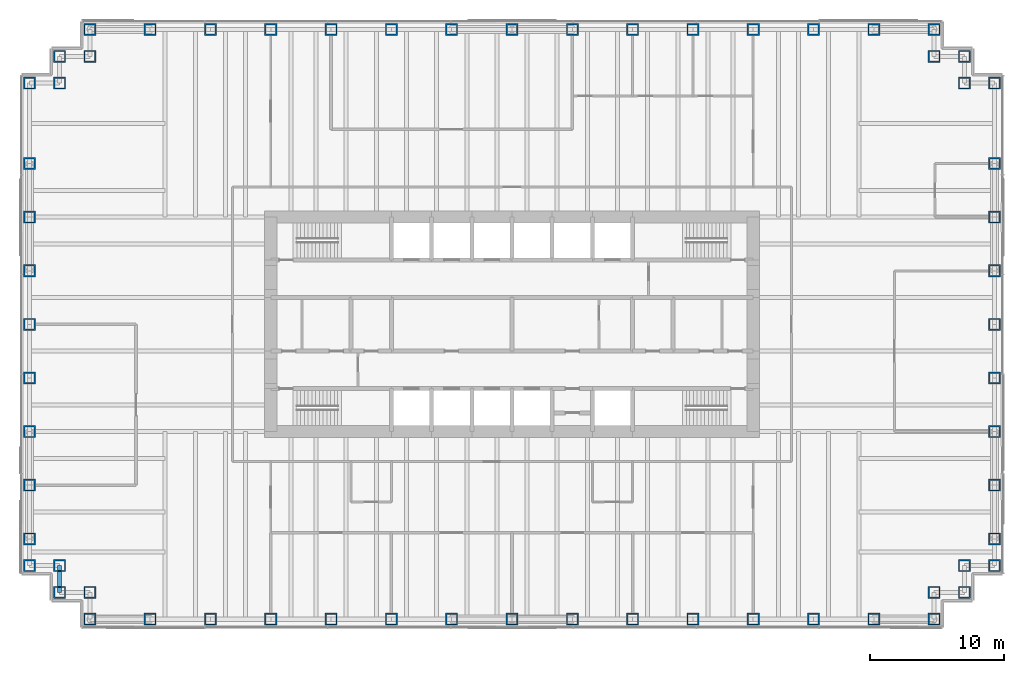
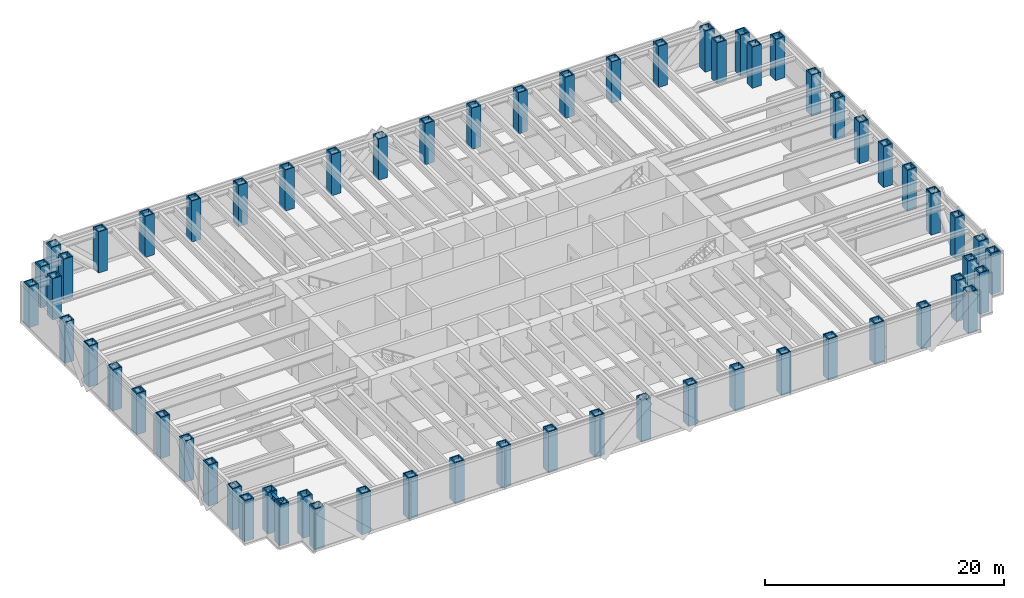
# One storey, part 1 of 15: 62 columns, 1 beam.
"""IFC4 building model written with IfcOpenShell, lengths in metres."""

import ifcopenshell
import ifcopenshell.guid

model = None  # the IFC model being written
_history = None  # IfcOwnerHistory: only IFC2X3 demands one
_inside = {}  # id of a spatial element -> (the spatial element, [elements in it])
_under = {}  # id of a project, library or spatial element -> (it, [spatial elements below it])
_declared = {}  # id of a project -> (the project, [libraries it declares])
_typed = {}  # id of a type object -> (the type object, [elements of that type])
_made_of = {}  # id of a material, layer set ... -> (it, [elements and type objects made of it])


def new_model(schema):
    """Start an empty IFC model of exactly this schema.

    Asked for "IFC4X3", IfcOpenShell would pick the latest addendum, in which some entities
    have other attributes; the version numbers below select the first issue.
    IFC2X3 requires an IfcOwnerHistory on every rooted entity: one is made here for all.
    """
    global model, _history
    if schema == "IFC4X3":
        model = ifcopenshell.file(schema_version=(4, 3, 0, 0))
    else:
        model = ifcopenshell.file(schema=schema)
    _inside.clear()
    _under.clear()
    _declared.clear()
    _typed.clear()
    _made_of.clear()
    _history = None
    if model.schema == "IFC2X3":
        org = make("IfcOrganization", Name="unknown")
        user = make(
            "IfcPersonAndOrganization",
            ThePerson=make("IfcPerson", FamilyName="unknown"),
            TheOrganization=org,
        )
        app = make(
            "IfcApplication",
            ApplicationDeveloper=org,
            Version="unknown",
            ApplicationFullName="unknown",
            ApplicationIdentifier="unknown",
        )
        _history = make(
            "IfcOwnerHistory",
            OwningUser=user,
            OwningApplication=app,
            ChangeAction="ADDED",
            CreationDate=0,
        )
    return model


def make(cls, **values):
    """One entity of the class cls with the attributes given. An attribute that is None is left unset."""
    return model.create_entity(
        cls, **{name: value for name, value in values.items() if value is not None}
    )


def rooted(cls, **values):
    """An entity with a GlobalId (a new one), such as an element, a storey or a relation."""
    return make(cls, GlobalId=ifcopenshell.guid.new(), OwnerHistory=_history, **values)


def si_unit(unit_type, name, prefix=None):
    """IfcSIUnit, for example si_unit("LENGTHUNIT", "METRE", prefix="MILLI")."""
    return make("IfcSIUnit", UnitType=unit_type, Prefix=prefix, Name=name)


def assignment(units):
    """IfcUnitAssignment: the units of a project."""
    return None if units is None else make("IfcUnitAssignment", Units=units)


def point(xyz):
    """IfcCartesianPoint."""
    return None if xyz is None else make("IfcCartesianPoint", Coordinates=xyz)


def direction(xyz):
    """IfcDirection."""
    return None if xyz is None else make("IfcDirection", DirectionRatios=xyz)


def frame(location, z_axis=None, x_axis=None):
    """IfcAxis2Placement3D, a coordinate frame: its origin and axes. An axis left out is left unset."""
    return make(
        "IfcAxis2Placement3D",
        Location=point(location),
        Axis=direction(z_axis),
        RefDirection=direction(x_axis),
    )


def frame_2d(location, x_axis=None):
    """IfcAxis2Placement2D, a coordinate frame in the plane: its origin and x axis."""
    return make(
        "IfcAxis2Placement2D", Location=point(location), RefDirection=direction(x_axis)
    )


def origin():
    """The frame at (0, 0, 0) with its axes left unset."""
    return frame((0.0, 0.0, 0.0))


def origin_2d():
    """The frame at (0, 0) in the plane with its x axis left unset."""
    return frame_2d((0.0, 0.0))


def place(relative_to, where):
    """IfcLocalPlacement: puts the frame where relative to a parent placement (None: the world)."""
    return make(
        "IfcLocalPlacement", PlacementRelTo=relative_to, RelativePlacement=where
    )


def context(
    kind, dimensions, precision=None, world=None, true_north=None, identifier=None
):
    """IfcGeometricRepresentationContext, for example the 3D "Model" context."""
    return make(
        "IfcGeometricRepresentationContext",
        ContextIdentifier=identifier,
        ContextType=kind,
        CoordinateSpaceDimension=dimensions,
        Precision=precision,
        WorldCoordinateSystem=world,
        TrueNorth=true_north,
    )


def subcontext(parent, identifier, kind, view, scale=None):
    """IfcGeometricRepresentationSubContext, for example "Body" below "Model"."""
    return make(
        "IfcGeometricRepresentationSubContext",
        ContextIdentifier=identifier,
        ContextType=kind,
        ParentContext=parent,
        TargetScale=scale,
        TargetView=view,
    )


def project(units=None, contexts=None):
    """IfcProject with its units and contexts."""
    return rooted(
        "IfcProject",
        Name="project",
        RepresentationContexts=contexts,
        UnitsInContext=assignment(units),
    )


def spatial(cls, under=None, at=None, **own):
    """A site, building, storey or space (cls), placed at a placement, below another one or the project."""
    s = rooted(cls, ObjectPlacement=at, **own)
    if under is not None:
        _under.setdefault(under.id(), (under, []))[1].append(s)
    return s


def profile(cls, at=None, kind="AREA", **sizes):
    """A parametric profile (cls). Its sizes go by their IFC names, for example OverallWidth=200.0."""
    return make(cls, ProfileType=kind, Position=at, **sizes)


def hollow_rectangle(**sizes):
    """IfcRectangleHollowProfileDef."""
    return profile("IfcRectangleHollowProfileDef", **sizes)


def i_section(**sizes):
    """IfcIShapeProfileDef."""
    return profile("IfcIShapeProfileDef", **sizes)


def extrude(swept, where, along, depth):
    """IfcExtrudedAreaSolid: the profile swept, set in the frame where, extruded along a direction by depth."""
    return make(
        "IfcExtrudedAreaSolid",
        SweptArea=swept,
        Position=where,
        ExtrudedDirection=direction(along),
        Depth=depth,
    )


def shape(context_of_items, identifier, shape_type, items):
    """IfcShapeRepresentation: the items that make up one representation, for example the "Body"."""
    return make(
        "IfcShapeRepresentation",
        ContextOfItems=context_of_items,
        RepresentationIdentifier=identifier,
        RepresentationType=shape_type,
        Items=items,
    )


def material(Name=None, Category=None):
    """IfcMaterial."""
    return make("IfcMaterial", Name=Name, Category=Category)


def material_profile(
    of_material, cross_section, Name=None, Category=None, Priority=None
):
    """IfcMaterialProfile: a cross section and its material."""
    return make(
        "IfcMaterialProfile",
        Name=Name,
        Material=of_material,
        Profile=cross_section,
        Priority=Priority,
        Category=Category,
    )


def profile_set(profiles, Name=None, composite=None):
    """IfcMaterialProfileSet."""
    return make(
        "IfcMaterialProfileSet",
        Name=Name,
        MaterialProfiles=profiles,
        CompositeProfile=composite,
    )


def made_of(thing, what):
    """Note that an element or type object is made of a material, layer set ...; save() writes the relation."""
    if what is not None:
        _made_of.setdefault(what.id(), (what, []))[1].append(thing)
    return thing


def type_object(cls, material=None, **own):
    """A type object (cls), such as IfcWallType, which elements share."""
    return made_of(rooted(cls, **own), material)


def element(
    cls,
    number,
    at=None,
    inside=None,
    cuts=None,
    type_object=None,
    material=None,
    context=None,
    identifier="Body",
    shape_type=None,
    held_by="IfcProductDefinitionShape",
    body=None,
    shapes=None,
    **own,
):
    """One element of the class cls, such as IfcWall. Its Tag is "e" and its number.

    at: its placement. inside: the storey or other place that contains it. cuts: it is an
    opening in that element (IfcRelVoidsElement). A single representation is given by context,
    identifier, shape_type and body (its items); several are given by shapes. held_by: the class
    of the entity that holds the representations. save() writes the other relations.
    """
    e = rooted(cls, Tag="e%d" % number, ObjectPlacement=at, **own)
    if body is not None:
        shapes = [shape(context, identifier, shape_type, body)]
    if shapes is not None:
        e.Representation = make(held_by, Representations=shapes)
    if inside is not None:
        _inside.setdefault(inside.id(), (inside, []))[1].append(e)
    if cuts is not None:
        rooted(
            "IfcRelVoidsElement", RelatingBuildingElement=cuts, RelatedOpeningElement=e
        )
    if type_object is not None:
        _typed.setdefault(type_object.id(), (type_object, []))[1].append(e)
    return made_of(e, material)


def aggregate(whole, parts):
    """IfcRelAggregates: a whole, such as a stair, and the parts it consists of."""
    return rooted("IfcRelAggregates", RelatingObject=whole, RelatedObjects=parts)


def save(model, path):
    """Write the relations noted so far, then the file.

    IfcRelAggregates (storeys below a building ...), IfcRelContainedInSpatialStructure (elements
    in a storey), IfcRelDefinesByType, IfcRelAssociatesMaterial and IfcRelDeclares: one each for
    every whole, place, type object, material and project.
    """
    for whole, parts in _under.values():
        aggregate(whole, parts)
    for where, things in _inside.values():
        rooted(
            "IfcRelContainedInSpatialStructure",
            RelatedElements=things,
            RelatingStructure=where,
        )
    for kind, things in _typed.values():
        rooted("IfcRelDefinesByType", RelatedObjects=things, RelatingType=kind)
    for what, things in _made_of.values():
        rooted("IfcRelAssociatesMaterial", RelatedObjects=things, RelatingMaterial=what)
    for by, libraries in _declared.values():
        rooted("IfcRelDeclares", RelatingContext=by, RelatedDefinitions=libraries)
    model.write(path)


model = new_model("IFC4")

# Units and contexts
model_context = context("Model", 3, precision=1e-05, world=origin(), true_north=direction((0.0, 1.0)))
body_context = subcontext(model_context, "Body", "Model", "MODEL_VIEW")
ifc_project = project(units=[si_unit("LENGTHUNIT", "METRE"), si_unit("AREAUNIT", "SQUARE_METRE"), si_unit("VOLUMEUNIT", "CUBIC_METRE"), si_unit("PLANEANGLEUNIT", "RADIAN"), si_unit("MASSUNIT", "GRAM", prefix="KILO")], contexts=[model_context])

# Site, building, storey
site_placement = place(None, origin())
site = spatial("IfcSite", under=ifc_project, at=site_placement, CompositionType="ELEMENT")
building_placement = place(site_placement, origin())
building = spatial("IfcBuilding", under=site, at=building_placement, Name="Rheinbord Bourse Tower", CompositionType="ELEMENT")
storey_placement = place(building_placement, frame((0.0, 0.0, 150.89990234375)))
storey = spatial("IfcBuildingStorey", under=building, at=storey_placement, Name="L33", CompositionType="ELEMENT", Elevation=150.89990234375)

# Columns
ifc_material_1 = material(Name="Steel S460M", Category="steel")
ifc_material_profile_1 = material_profile(ifc_material_1, hollow_rectangle(XDim=0.89990234375, YDim=0.89990234375, WallThickness=0.10009765625, at=origin_2d()), Name="BOX 900x900x100")
ifc_profile_set_1 = profile_set([ifc_material_profile_1], Name="Steel S460M")
column_type = type_object("IfcColumnType", Name="TUBE COLUMN BOX 900x900x100", PredefinedType="COLUMN", material=ifc_profile_set_1)
for number, where, z_axis, x_axis, name in (
    (1, (4.5, 2.0, 0.0), (0.0, 0.0, 1.0), (0.0, 1.0, 0.0), "Column SW-E L33"),
    (2, (9.0, 2.0, 0.0), (0.0, 0.0, 1.0), (0.0, 1.0, 0.0), "Column S-9 L33"),
    (3, (13.5, 2.0, 0.0), (0.0, 0.0, 1.0), (0.0, 1.0, 0.0), "Column S-13.5 L33"),
    (4, (18.0, 2.0, 0.0), (0.0, 0.0, 1.0), (0.0, 1.0, 0.0), "Column S-18 L33"),
    (5, (22.5, 2.0, 0.0), (0.0, 0.0, 1.0), (0.0, 1.0, 0.0), "Column S-22.5 L33"),
    (6, (27.0, 2.0, 0.0), (0.0, 0.0, 1.0), (0.0, 1.0, 0.0), "Column S-27 L33"),
    (7, (31.5, 2.0, 0.0), (0.0, 0.0, 1.0), (0.0, 1.0, 0.0), "Column S-31.5 L33"),
    (8, (36.0, 2.0, 0.0), (0.0, 0.0, 1.0), (0.0, 1.0, 0.0), "Column S-36 L33"),
    (9, (40.5, 2.0, 0.0), (0.0, 0.0, 1.0), (0.0, 1.0, 0.0), "Column S-40.5 L33"),
    (10, (45.0, 2.0, 0.0), (0.0, 0.0, 1.0), (0.0, 1.0, 0.0), "Column S-45 L33"),
    (11, (49.5, 2.0, 0.0), (0.0, 0.0, 1.0), (0.0, 1.0, 0.0), "Column S-49.5 L33"),
    (12, (54.0, 2.0, 0.0), (0.0, 0.0, 1.0), (0.0, 1.0, 0.0), "Column S-54 L33"),
    (13, (58.5, 2.0, 0.0), (0.0, 0.0, 1.0), (0.0, 1.0, 0.0), "Column S-58.5 L33"),
    (14, (63.0, 2.0, 0.0), (0.0, 0.0, 1.0), (0.0, 1.0, 0.0), "Column S-63 L33"),
    (15, (67.5, 2.0, 0.0), (0.0, 0.0, 1.0), (0.0, 1.0, 0.0), "Column SE-E L33"),
    (16, (67.5, 4.0, 0.0), (0.0, 0.0, 1.0), (0.0, 1.0, 0.0), "Column SE-D L33"),
    (17, (69.75, 4.0, 0.0), (0.0, 0.0, 1.0), (1.0, 0.0, 0.0), "Column SE-C L33"),
    (18, (69.75, 6.0, 0.0), (0.0, 0.0, 1.0), (1.0, 0.0, 0.0), "Column SE-B L33"),
    (19, (72.0, 6.0, 0.0), (0.0, 0.0, 1.0), (1.0, 0.0, 0.0), "Column SE-A L33"),
    (20, (72.0, 8.0, 0.0), (0.0, 0.0, 1.0), (1.0, 0.0, 0.0), "Column E-8 L33"),
    (21, (72.0, 12.0, 0.0), (0.0, 0.0, 1.0), (1.0, 0.0, 0.0), "Column E-12 L33"),
    (22, (72.0, 16.0, 0.0), (0.0, 0.0, 1.0), (1.0, 0.0, 0.0), "Column E-16 L33"),
    (23, (72.0, 20.0, 0.0), (0.0, 0.0, 1.0), (1.0, 0.0, 0.0), "Column E-20 L33"),
    (24, (72.0, 24.0, 0.0), (0.0, 0.0, 1.0), (1.0, 0.0, 0.0), "Column E-24 L33"),
    (25, (72.0, 28.0, 0.0), (0.0, 0.0, 1.0), (1.0, 0.0, 0.0), "Column E-28 L33"),
    (26, (72.0, 32.0, 0.0), (0.0, 0.0, 1.0), (1.0, 0.0, 0.0), "Column E-32 L33"),
    (27, (72.0, 36.0, 0.0), (0.0, 0.0, 1.0), (1.0, 0.0, 0.0), "Column E-36 L33"),
    (28, (72.0, 42.0, 0.0), (0.0, 0.0, 1.0), (1.0, 0.0, 0.0), "Column NE-A L33"),
    (29, (69.75, 42.0, 0.0), (0.0, 0.0, 1.0), (1.0, 0.0, 0.0), "Column NE-B L33"),
    (30, (69.75, 44.0, 0.0), (0.0, 0.0, 1.0), (1.0, 0.0, 0.0), "Column NE-C L33"),
    (31, (67.5, 44.0, 0.0), (0.0, 0.0, 1.0), (0.0, 1.0, 0.0), "Column NE-D L33"),
    (32, (67.5, 46.0, 0.0), (0.0, 0.0, 1.0), (0.0, 1.0, 0.0), "Column NE-E L33"),
    (33, (63.0, 46.0, 0.0), (0.0, 0.0, 1.0), (0.0, 1.0, 0.0), "Column N-63 L33"),
    (34, (58.5, 46.0, 0.0), (0.0, 0.0, 1.0), (0.0, 1.0, 0.0), "Column N-58.5 L33"),
    (35, (54.0, 46.0, 0.0), (0.0, 0.0, 1.0), (0.0, 1.0, 0.0), "Column N-54 L33"),
    (36, (49.5, 46.0, 0.0), (0.0, 0.0, 1.0), (0.0, 1.0, 0.0), "Column N-49.5 L33"),
    (37, (45.0, 46.0, 0.0), (0.0, 0.0, 1.0), (0.0, 1.0, 0.0), "Column N-45 L33"),
    (38, (40.5, 46.0, 0.0), (0.0, 0.0, 1.0), (0.0, 1.0, 0.0), "Column N-40.5 L33"),
    (39, (36.0, 46.0, 0.0), (0.0, 0.0, 1.0), (0.0, 1.0, 0.0), "Column N-36 L33"),
    (40, (31.5, 46.0, 0.0), (0.0, 0.0, 1.0), (0.0, 1.0, 0.0), "Column N-31.5 L33"),
    (41, (27.0, 46.0, 0.0), (0.0, 0.0, 1.0), (0.0, 1.0, 0.0), "Column N-27 L33"),
    (42, (22.5, 46.0, 0.0), (0.0, 0.0, 1.0), (0.0, 1.0, 0.0), "Column N-22.5 L33"),
    (43, (18.0, 46.0, 0.0), (0.0, 0.0, 1.0), (0.0, 1.0, 0.0), "Column N-18 L33"),
    (44, (13.5, 46.0, 0.0), (0.0, 0.0, 1.0), (0.0, 1.0, 0.0), "Column N-13.5 L33"),
    (45, (9.0, 46.0, 0.0), (0.0, 0.0, 1.0), (0.0, 1.0, 0.0), "Column N-9 L33"),
    (46, (4.5, 46.0, 0.0), (0.0, 0.0, 1.0), (0.0, 1.0, 0.0), "Column NW-E L33"),
    (47, (4.5, 44.0, 0.0), (0.0, 0.0, 1.0), (0.0, 1.0, 0.0), "Column NW-D L33"),
    (48, (2.25, 44.0, 0.0), (0.0, 0.0, 1.0), (1.0, 0.0, 0.0), "Column NW-C L33"),
    (49, (2.25, 42.0, 0.0), (0.0, 0.0, 1.0), (1.0, 0.0, 0.0), "Column NW-B L33"),
    (50, (0.0, 42.0, 0.0), (0.0, 0.0, 1.0), (1.0, 0.0, 0.0), "Column NW-A L33"),
    (51, (0.0, 36.0, 0.0), (0.0, 0.0, 1.0), (1.0, 0.0, 0.0), "Column W-36 L33"),
    (52, (0.0, 32.0, 0.0), (0.0, 0.0, 1.0), (1.0, 0.0, 0.0), "Column W-32 L33"),
    (53, (0.0, 28.0, 0.0), (0.0, 0.0, 1.0), (1.0, 0.0, 0.0), "Column W-28 L33"),
    (54, (0.0, 24.0, 0.0), (0.0, 0.0, 1.0), (1.0, 0.0, 0.0), "Column W-24 L33"),
    (55, (0.0, 20.0, 0.0), (0.0, 0.0, 1.0), (1.0, 0.0, 0.0), "Column W-20 L33"),
    (56, (0.0, 16.0, 0.0), (0.0, 0.0, 1.0), (1.0, 0.0, 0.0), "Column W-16 L33"),
    (57, (0.0, 12.0, 0.0), (0.0, 0.0, 1.0), (1.0, 0.0, 0.0), "Column W-12 L33"),
    (58, (0.0, 8.0, 0.0), (0.0, 0.0, 1.0), (1.0, 0.0, 0.0), "Column W-8 L33"),
    (59, (0.0, 6.0, 0.0), (0.0, 0.0, 1.0), (1.0, 0.0, 0.0), "Column SW-A L33"),
    (60, (2.25, 6.0, 0.0), (0.0, 0.0, 1.0), (1.0, 0.0, 0.0), "Column SW-B L33"),
    (61, (2.25, 4.0, 0.0), (0.0, 0.0, 1.0), (1.0, 0.0, 0.0), "Column SW-C L33"),
    (62, (4.5, 4.0, 0.0), (0.0, 0.0, 1.0), (0.0, 1.0, 0.0), "Column SW-D L33"),
):
    element("IfcColumn", number, at=place(storey_placement, frame(where, z_axis=z_axis, x_axis=x_axis)), inside=storey, type_object=column_type, Name=name, PredefinedType="COLUMN", context=body_context, shape_type="SweptSolid", body=[
        extrude(hollow_rectangle(XDim=0.89990234375, YDim=0.89990234375, WallThickness=0.10009765625, at=origin_2d()), origin(), (0.0, 0.0, 1.0), 4.2001953125),
    ])

# Beam
ifc_material_2 = material(Name="Steel S460", Category="steel")
ifc_material_profile_2 = material_profile(ifc_material_2, i_section(OverallWidth=0.305908203125, OverallDepth=0.572021484375, WebThickness=0.02099609375, FlangeThickness=0.0400390625, at=origin_2d()), Name="HEM 550")
ifc_profile_set_2 = profile_set([ifc_material_profile_2], Name="Steel S460")
beam_type = type_object("IfcBeamType", Name="SPANDREL HEM 550", PredefinedType="SPANDREL", material=ifc_profile_set_2)
beam_placement = place(storey_placement, frame((2.25, 6.0, 3.754150390625), z_axis=(0.0, -1.0, 0.0), x_axis=(1.0, 0.0, 0.0)))
element("IfcBeam", 63, at=beam_placement, inside=storey, type_object=beam_type, Name="Spandrel SW-B-SW-C under L34", PredefinedType="SPANDREL", context=body_context, shape_type="SweptSolid", body=[
    extrude(i_section(OverallWidth=0.305908203125, OverallDepth=0.572021484375, WebThickness=0.02099609375, FlangeThickness=0.0400390625, at=origin_2d()), origin(), (0.0, 0.0, 1.0), 2.0),
])

save(model, "model.ifc")
